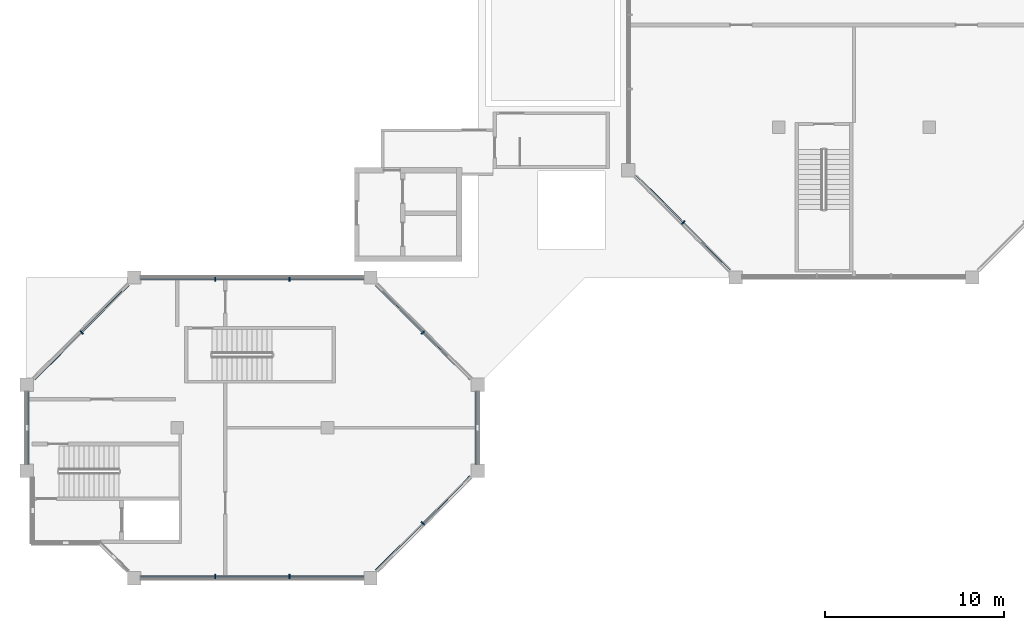
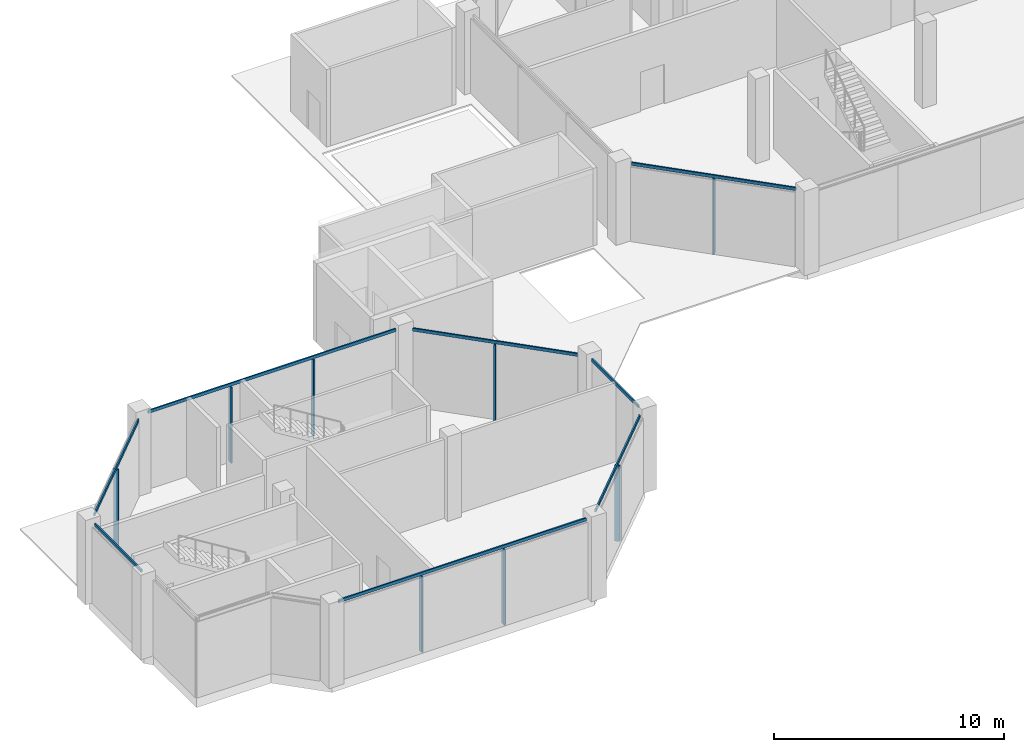
# One storey, part 2 of 10: 16 members, 8 elements without a shape of their own.
"""IFC4 building model written with IfcOpenShell, lengths in metres."""

from ifc_helpers import new_model, si_unit, direction, frame, origin, origin_2d, place, context, subcontext, project, spatial, rectangle, extrude, material, layer, layer_set, material_profile, profile_set, type_object, element, aggregate, save


model = new_model("IFC4")

# Units and contexts
model_context = context("Model", 3, precision=1e-05, world=origin(), true_north=direction((0.0, 1.0)))
body_context = subcontext(model_context, "Body", "Model", "MODEL_VIEW")
ifc_project = project(units=[si_unit("LENGTHUNIT", "METRE"), si_unit("AREAUNIT", "SQUARE_METRE"), si_unit("VOLUMEUNIT", "CUBIC_METRE"), si_unit("PLANEANGLEUNIT", "RADIAN"), si_unit("MASSUNIT", "GRAM", prefix="KILO")], contexts=[model_context])

# Site, building, storey
site_placement = place(None, origin())
site = spatial("IfcSite", under=ifc_project, at=site_placement, CompositionType="ELEMENT")
building_placement = place(site_placement, origin())
building = spatial("IfcBuilding", under=site, at=building_placement, Name="Kawkab Arch Medical Tower", CompositionType="ELEMENT")
storey_placement = place(building_placement, frame((0.0, 0.0, 336.699951171875)))
storey = spatial("IfcBuildingStorey", under=building, at=storey_placement, Name="L78", CompositionType="ELEMENT", Elevation=336.699951171875)

# Curtain wall, member
ifc_material_1 = material(Name="Bronze anodised aluminium curtain wall frame", Category="aluminium")
ifc_layer = layer(ifc_material_1, 0.159912109375)
ifc_layer_set = layer_set([ifc_layer], Name="Bronze anodised aluminium curtain wall frame")
curtain_wall_type = type_object("IfcCurtainWallType", Name="CW6 helipad lobby and crown glazing", PredefinedType="NOTDEFINED", material=ifc_layer_set)
placement = place(storey_placement, origin())
curtain_wall_1 = element("IfcCurtainWall", 1, at=placement, inside=storey, type_object=curtain_wall_type, Name="CW6 Helipad lobby and crown glazing R05", PredefinedType="NOTDEFINED")
ifc_material_2 = material(Name="Bronze anodised aluminium curtain wall frame", Category="aluminium")
ifc_material_profile_1 = material_profile(ifc_material_2, rectangle(XDim=0.239990234375, YDim=0.070068359375, at=origin_2d()), Name="AL 70x240")
ifc_profile_set_1 = profile_set([ifc_material_profile_1], Name="Bronze anodised aluminium curtain wall frame")
member_type_1 = type_object("IfcMemberType", Name="CW6 mullion 70 x 240", PredefinedType="MULLION", material=ifc_profile_set_1)
member_1_placement = place(storey_placement, frame((36.670654296875, -22.12939453125, 0.0), z_axis=(0.0, 0.0, 1.0), x_axis=(0.707106781187, 0.707106781187, 0.0)))
member_1 = element("IfcMember", 2, at=member_1_placement, type_object=member_type_1, Name="CW6 mullion 1.1", PredefinedType="MULLION", context=body_context, shape_type="SweptSolid", body=[
    extrude(rectangle(XDim=0.239990234375, YDim=0.070068359375, at=origin_2d()), origin(), (0.0, 0.0, 1.0), 4.0400390625),
])

curtain_wall_2 = element("IfcCurtainWall", 3, at=placement, inside=storey, type_object=curtain_wall_type, Name="CW6 Helipad lobby and crown glazing R09", PredefinedType="NOTDEFINED")
member_2_placement = place(storey_placement, frame((22.12939453125, -28.270751953125, 0.0), z_axis=(0.0, 0.0, 1.0), x_axis=(-0.707106781187, -0.707106781187, 0.0)))
member_2 = element("IfcMember", 4, at=member_2_placement, type_object=member_type_1, Name="CW6 mullion 1.1", PredefinedType="MULLION", context=body_context, shape_type="SweptSolid", body=[
    extrude(rectangle(XDim=0.239990234375, YDim=0.070068359375, at=origin_2d()), origin(), (0.0, 0.0, 1.0), 4.0400390625),
])

# Curtain wall, members
curtain_wall_3 = element("IfcCurtainWall", 5, at=placement, inside=storey, type_object=curtain_wall_type, Name="CW6 Helipad lobby and crown glazing R10", PredefinedType="NOTDEFINED")
member_3_placement = place(storey_placement, frame((14.675048828125, -25.300048828125, 0.0), z_axis=(0.0, 0.0, 1.0), x_axis=(0.0, -1.0, 0.0)))
member_3 = element("IfcMember", 6, at=member_3_placement, type_object=member_type_1, Name="CW6 mullion 1.1", PredefinedType="MULLION", context=body_context, shape_type="SweptSolid", body=[
    extrude(rectangle(XDim=0.239990234375, YDim=0.070068359375, at=origin_2d()), origin(), (0.0, 0.0, 1.0), 4.0400390625),
])
member_4_placement = place(storey_placement, frame((10.52490234375, -25.300048828125, 0.0), z_axis=(0.0, 0.0, 1.0), x_axis=(0.0, -1.0, 0.0)))
member_4 = element("IfcMember", 7, at=member_4_placement, type_object=member_type_1, Name="CW6 mullion 1.2", PredefinedType="MULLION", context=body_context, shape_type="SweptSolid", body=[
    extrude(rectangle(XDim=0.239990234375, YDim=0.070068359375, at=origin_2d()), origin(), (0.0, 0.0, 1.0), 4.0400390625),
])

# Curtain wall, member
curtain_wall_4 = element("IfcCurtainWall", 8, at=placement, inside=storey, type_object=curtain_wall_type, Name="CW6 Helipad lobby and crown glazing R11", PredefinedType="NOTDEFINED")
member_5_placement = place(storey_placement, frame((3.07080078125, -28.270751953125, 0.0), z_axis=(0.0, 0.0, 1.0), x_axis=(0.707106781187, -0.707106781187, 0.0)))
member_5 = element("IfcMember", 9, at=member_5_placement, type_object=member_type_1, Name="CW6 mullion 1.1", PredefinedType="MULLION", context=body_context, shape_type="SweptSolid", body=[
    extrude(rectangle(XDim=0.239990234375, YDim=0.070068359375, at=origin_2d()), origin(), (0.0, 0.0, 1.0), 4.0400390625),
])

# Curtain wall, members
curtain_wall_5 = element("IfcCurtainWall", 10, at=placement, inside=storey, type_object=curtain_wall_type, Name="CW6 Helipad lobby and crown glazing R17", PredefinedType="NOTDEFINED")
member_6_placement = place(storey_placement, frame((10.52490234375, -41.89990234375, 0.0), z_axis=(0.0, 0.0, 1.0), x_axis=(0.0, 1.0, 0.0)))
member_6 = element("IfcMember", 11, at=member_6_placement, type_object=member_type_1, Name="CW6 mullion 1.1", PredefinedType="MULLION", context=body_context, shape_type="SweptSolid", body=[
    extrude(rectangle(XDim=0.239990234375, YDim=0.070068359375, at=origin_2d()), origin(), (0.0, 0.0, 1.0), 4.0400390625),
])
member_7_placement = place(storey_placement, frame((14.675048828125, -41.89990234375, 0.0), z_axis=(0.0, 0.0, 1.0), x_axis=(0.0, 1.0, 0.0)))
member_7 = element("IfcMember", 12, at=member_7_placement, type_object=member_type_1, Name="CW6 mullion 1.2", PredefinedType="MULLION", context=body_context, shape_type="SweptSolid", body=[
    extrude(rectangle(XDim=0.239990234375, YDim=0.070068359375, at=origin_2d()), origin(), (0.0, 0.0, 1.0), 4.0400390625),
])

# Curtain wall, member
curtain_wall_6 = element("IfcCurtainWall", 13, at=placement, inside=storey, type_object=curtain_wall_type, Name="CW6 Helipad lobby and crown glazing R18", PredefinedType="NOTDEFINED")
member_8_placement = place(storey_placement, frame((22.12939453125, -38.92919921875, 0.0), z_axis=(0.0, 0.0, 1.0), x_axis=(-0.707106781187, 0.707106781187, 0.0)))
member_8 = element("IfcMember", 14, at=member_8_placement, type_object=member_type_1, Name="CW6 mullion 1.1", PredefinedType="MULLION", context=body_context, shape_type="SweptSolid", body=[
    extrude(rectangle(XDim=0.239990234375, YDim=0.070068359375, at=origin_2d()), origin(), (0.0, 0.0, 1.0), 4.0400390625),
])

# Member
ifc_material_3 = material(Name="Bronze anodised aluminium curtain wall frame", Category="aluminium")
ifc_material_profile_2 = material_profile(ifc_material_3, rectangle(XDim=0.070068359375, YDim=0.159912109375, at=origin_2d()), Name="AL 70x160")
ifc_profile_set_2 = profile_set([ifc_material_profile_2], Name="Bronze anodised aluminium curtain wall frame")
member_type_2 = type_object("IfcMemberType", Name="CW6 transom 160 x 70", PredefinedType="USERDEFINED", material=ifc_profile_set_2)
member_9_placement = place(storey_placement, frame((34.045654296875, -19.50439453125, 4.1201171875), z_axis=(0.707106781187, -0.707106781187, 0.0), x_axis=(0.707106781187, 0.707106781187, 0.0)))
member_9 = element("IfcMember", 15, at=member_9_placement, type_object=member_type_2, Name="CW6 transom 1", ObjectType="TRANSOM", PredefinedType="USERDEFINED", context=body_context, shape_type="SweptSolid", body=[
    extrude(rectangle(XDim=0.070068359375, YDim=0.159912109375, at=origin_2d()), origin(), (0.0, 0.0, 1.0), 7.424560546875),
])

aggregate(curtain_wall_1, [member_9, member_1])

member_10_placement = place(storey_placement, frame((24.75439453125, -30.895751953125, 4.1201171875), z_axis=(-0.707123221898, 0.707090340093, 0.0), x_axis=(-0.707090340093, -0.707123221898, 0.0)))
member_10 = element("IfcMember", 16, at=member_10_placement, type_object=member_type_2, Name="CW6 transom 1", ObjectType="TRANSOM", PredefinedType="USERDEFINED", context=body_context, shape_type="SweptSolid", body=[
    extrude(rectangle(XDim=0.070068359375, YDim=0.159912109375, at=origin_2d()), origin(), (0.0, 0.0, 1.0), 7.4248046875),
])

aggregate(curtain_wall_2, [member_10, member_2])

member_11_placement = place(storey_placement, frame((18.824951171875, -25.300048828125, 4.1201171875), z_axis=(-1.0, 0.0, 0.0), x_axis=(0.0, -1.0, 0.0)))
member_11 = element("IfcMember", 17, at=member_11_placement, type_object=member_type_2, Name="CW6 transom 1", ObjectType="TRANSOM", PredefinedType="USERDEFINED", context=body_context, shape_type="SweptSolid", body=[
    extrude(rectangle(XDim=0.070068359375, YDim=0.159912109375, at=origin_2d()), origin(), (0.0, 0.0, 1.0), 12.449951171875),
])

aggregate(curtain_wall_3, [member_11, member_3, member_4])

member_12_placement = place(storey_placement, frame((5.69580078125, -25.645751953125, 4.1201171875), z_axis=(-0.707123221898, -0.707090340093, 0.0), x_axis=(0.707090340093, -0.707123221898, 0.0)))
member_12 = element("IfcMember", 18, at=member_12_placement, type_object=member_type_2, Name="CW6 transom 1", ObjectType="TRANSOM", PredefinedType="USERDEFINED", context=body_context, shape_type="SweptSolid", body=[
    extrude(rectangle(XDim=0.070068359375, YDim=0.159912109375, at=origin_2d()), origin(), (0.0, 0.0, 1.0), 7.4248046875),
])

aggregate(curtain_wall_4, [member_12, member_5])

# Curtain wall, member
curtain_wall_7 = element("IfcCurtainWall", 19, at=placement, inside=storey, type_object=curtain_wall_type, Name="CW6 Helipad lobby and crown glazing R12", PredefinedType="NOTDEFINED")
member_13_placement = place(storey_placement, frame((0.10009765625, -31.574951171875, 4.1201171875), z_axis=(0.0, -1.0, 0.0), x_axis=(1.0, 0.0, 0.0)))
member_13 = element("IfcMember", 20, at=member_13_placement, type_object=member_type_2, Name="CW6 transom 1", ObjectType="TRANSOM", PredefinedType="USERDEFINED", context=body_context, shape_type="SweptSolid", body=[
    extrude(rectangle(XDim=0.070068359375, YDim=0.159912109375, at=origin_2d()), origin(), (0.0, 0.0, 1.0), 4.050048828125),
])
aggregate(curtain_wall_7, [member_13])

# Member
member_14_placement = place(storey_placement, frame((6.375, -41.89990234375, 4.1201171875), z_axis=(1.0, 0.0, 0.0), x_axis=(0.0, 1.0, 0.0)))
member_14 = element("IfcMember", 21, at=member_14_placement, type_object=member_type_2, Name="CW6 transom 1", ObjectType="TRANSOM", PredefinedType="USERDEFINED", context=body_context, shape_type="SweptSolid", body=[
    extrude(rectangle(XDim=0.070068359375, YDim=0.159912109375, at=origin_2d()), origin(), (0.0, 0.0, 1.0), 12.449951171875),
])

aggregate(curtain_wall_5, [member_14, member_6, member_7])

member_15_placement = place(storey_placement, frame((19.50439453125, -41.55419921875, 4.1201171875), z_axis=(0.707106781187, 0.707106781187, 0.0), x_axis=(-0.707106781187, 0.707106781187, 0.0)))
member_15 = element("IfcMember", 22, at=member_15_placement, type_object=member_type_2, Name="CW6 transom 1", ObjectType="TRANSOM", PredefinedType="USERDEFINED", context=body_context, shape_type="SweptSolid", body=[
    extrude(rectangle(XDim=0.070068359375, YDim=0.159912109375, at=origin_2d()), origin(), (0.0, 0.0, 1.0), 7.424560546875),
])

aggregate(curtain_wall_6, [member_15, member_8])

# Curtain wall, member
curtain_wall_8 = element("IfcCurtainWall", 23, at=placement, inside=storey, type_object=curtain_wall_type, Name="CW6 Helipad lobby and crown glazing R19", PredefinedType="NOTDEFINED")
member_16_placement = place(storey_placement, frame((25.10009765625, -35.625, 4.1201171875), z_axis=(0.0, 1.0, 0.0), x_axis=(-1.0, 0.0, 0.0)))
member_16 = element("IfcMember", 24, at=member_16_placement, type_object=member_type_2, Name="CW6 transom 1", ObjectType="TRANSOM", PredefinedType="USERDEFINED", context=body_context, shape_type="SweptSolid", body=[
    extrude(rectangle(XDim=0.070068359375, YDim=0.159912109375, at=origin_2d()), origin(), (0.0, 0.0, 1.0), 4.050048828125),
])
aggregate(curtain_wall_8, [member_16])

save(model, "model.ifc")
